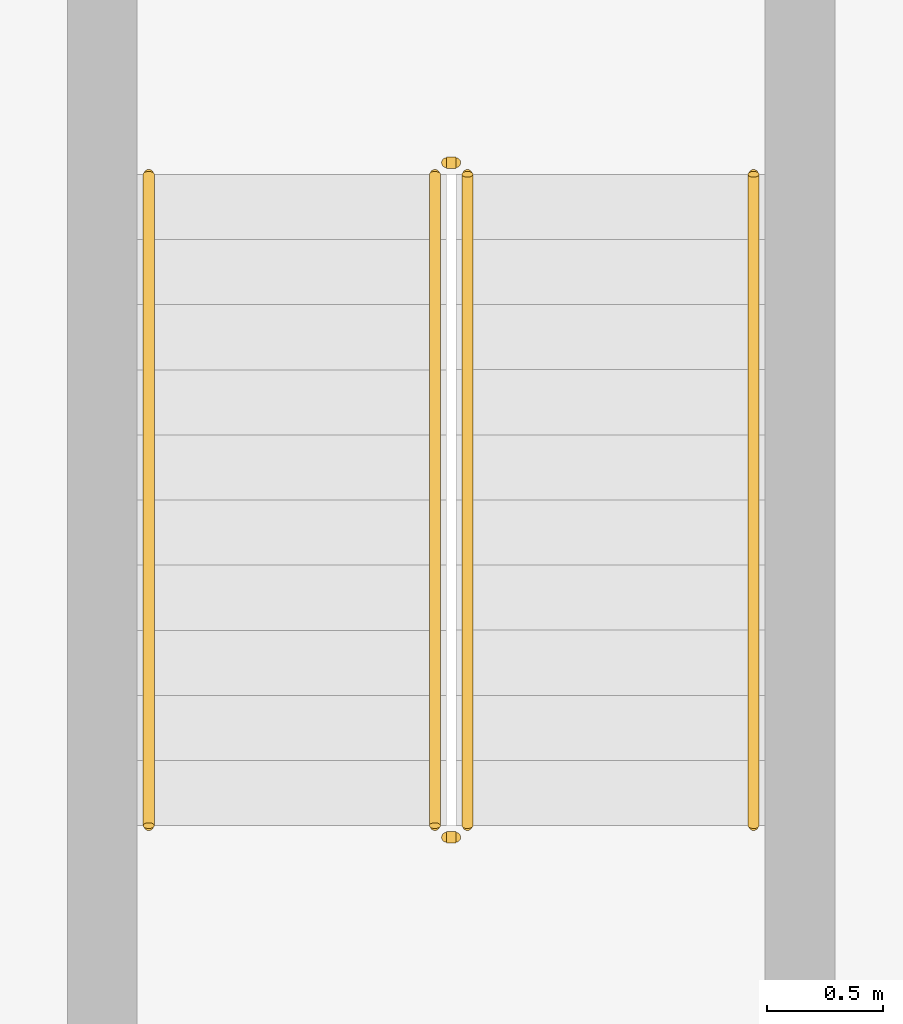
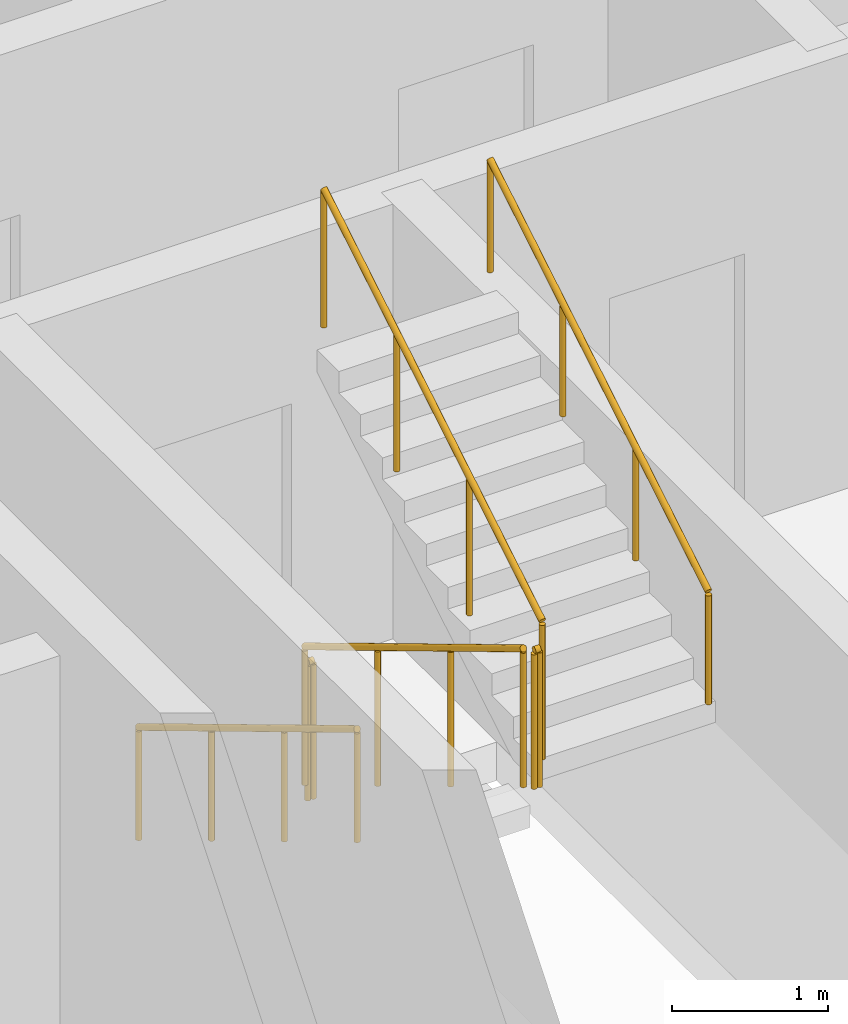
# One storey, part 22 of 25: 6 railings.
"""IFC4 building model written with IfcOpenShell, lengths in metres."""

from ifc_helpers import new_model, si_unit, direction, frame, origin, origin_2d, place, context, subcontext, project, spatial, circle, extrude, material, type_object, element, save


model = new_model("IFC4")

# Units and contexts
model_context = context("Model", 3, precision=1e-05, world=origin(), true_north=direction((0.0, 1.0)))
body_context = subcontext(model_context, "Body", "Model", "MODEL_VIEW")
ifc_project = project(units=[si_unit("LENGTHUNIT", "METRE"), si_unit("AREAUNIT", "SQUARE_METRE"), si_unit("VOLUMEUNIT", "CUBIC_METRE"), si_unit("PLANEANGLEUNIT", "RADIAN"), si_unit("MASSUNIT", "GRAM", prefix="KILO")], contexts=[model_context])

# Site, building, storey
site_placement = place(None, origin())
site = spatial("IfcSite", under=ifc_project, at=site_placement, CompositionType="ELEMENT")
building_placement = place(site_placement, origin())
building = spatial("IfcBuilding", under=site, at=building_placement, Name="Ogive Portal Towers", CompositionType="ELEMENT")
storey_placement = place(building_placement, frame((0.0, 0.0, 116.699951171875)))
storey = spatial("IfcBuildingStorey", under=building, at=storey_placement, Name="L28", CompositionType="ELEMENT", Elevation=116.699951171875)

# Railings
ifc_material_1 = material(Name="Stainless steel balustrade", Category="steel")
railing_type_1 = type_object("IfcRailingType", Name="INT-GUARD", PredefinedType="GUARDRAIL", material=ifc_material_1)
railing_1_placement = place(storey_placement, frame((88.280029296875, 29.169921875, 0.168212890625)))
element("IfcRailing", 1, at=railing_1_placement, inside=storey, type_object=railing_type_1, Name="L28 ST-A4 stair guard 1", PredefinedType="GUARDRAIL", context=body_context, shape_type="SweptSolid", body=[
    extrude(circle(Radius=0.02392578125, at=origin_2d()), frame((0.0, 0.0, 1.076171875), z_axis=(0.0, -0.857222391501, 0.514946377315), x_axis=(1.0, 0.0, 0.0)), (0.0, 0.0, 1.0), 3.26611328125),
    extrude(circle(Radius=0.02099609375, at=origin_2d()), origin(), (0.0, 0.0, 1.0), 1.052001953125),
    extrude(circle(Radius=0.02099609375, at=origin_2d()), frame((0.0, -0.933349609375, 0.560546875)), (0.0, 0.0, 1.0), 1.052001953125),
    extrude(circle(Radius=0.02099609375, at=origin_2d()), frame((0.0, -1.866455078125, 1.121337890625)), (0.0, 0.0, 1.0), 1.052001953125),
    extrude(circle(Radius=0.02099609375, at=origin_2d()), frame((0.0, -2.7998046875, 1.681884765625)), (0.0, 0.0, 1.0), 1.052001953125),
])
railing_2_placement = place(storey_placement, frame((88.330078125, 26.320068359375, 1.85009765625)))
element("IfcRailing", 2, at=railing_2_placement, inside=storey, type_object=railing_type_1, Name="L28 ST-A4 stair guard 2", PredefinedType="GUARDRAIL", context=body_context, shape_type="SweptSolid", body=[
    extrude(circle(Radius=0.02392578125, at=origin_2d()), frame((0.0, 0.0, 1.076171875), z_axis=(1.0, 0.0, 0.0), x_axis=(0.0, 1.0, 0.0)), (0.0, 0.0, 1.0), 0.0400390625),
    extrude(circle(Radius=0.02099609375, at=origin_2d()), origin(), (0.0, 0.0, 1.0), 1.052001953125),
    extrude(circle(Radius=0.02099609375, at=origin_2d()), frame((0.0400390625, 0.0, 0.0)), (0.0, 0.0, 1.0), 1.052001953125),
])
railing_3_placement = place(storey_placement, frame((88.419921875, 26.3701171875, 2.018310546875)))
element("IfcRailing", 3, at=railing_3_placement, inside=storey, type_object=railing_type_1, Name="L28 ST-A4 stair guard 3", PredefinedType="GUARDRAIL", context=body_context, shape_type="SweptSolid", body=[
    extrude(circle(Radius=0.02392578125, at=origin_2d()), frame((0.0, 0.0, 1.076171875), z_axis=(0.0, 0.857255387014, 0.514891446264), x_axis=(-1.0, 0.0, 0.0)), (0.0, 0.0, 1.0), 3.26611328125),
    extrude(circle(Radius=0.02099609375, at=origin_2d()), origin(), (0.0, 0.0, 1.0), 1.052001953125),
    extrude(circle(Radius=0.02099609375, at=origin_2d()), frame((0.0, 0.933349609375, 0.560546875)), (0.0, 0.0, 1.0), 1.052001953125),
    extrude(circle(Radius=0.02099609375, at=origin_2d()), frame((0.0, 1.866455078125, 1.12109375)), (0.0, 0.0, 1.0), 1.052001953125),
    extrude(circle(Radius=0.02099609375, at=origin_2d()), frame((0.0, 2.7998046875, 1.681640625)), (0.0, 0.0, 1.0), 1.052001953125),
])
railing_4_placement = place(storey_placement, frame((88.330078125, 29.219970703125, 0.0)))
element("IfcRailing", 4, at=railing_4_placement, inside=storey, type_object=railing_type_1, Name="L28 ST-A4 stair guard 4", PredefinedType="GUARDRAIL", context=body_context, shape_type="SweptSolid", body=[
    extrude(circle(Radius=0.02392578125, at=origin_2d()), frame((0.0, 0.0, 1.076171875), z_axis=(1.0, 0.0, 0.0), x_axis=(0.0, 1.0, 0.0)), (0.0, 0.0, 1.0), 0.0400390625),
    extrude(circle(Radius=0.02099609375, at=origin_2d()), origin(), (0.0, 0.0, 1.0), 1.052001953125),
    extrude(circle(Radius=0.02099609375, at=origin_2d()), frame((0.0400390625, 0.0, 0.0)), (0.0, 0.0, 1.0), 1.052001953125),
])
ifc_material_2 = material(Name="Stainless steel handrail", Category="steel")
railing_type_2 = type_object("IfcRailingType", Name="INT-HANDRAIL", PredefinedType="HANDRAIL", material=ifc_material_2)
railing_5_placement = place(storey_placement, frame((87.050048828125, 29.169921875, 0.168212890625)))
element("IfcRailing", 5, at=railing_5_placement, inside=storey, type_object=railing_type_2, Name="L28 ST-A4 stair handrail 1", PredefinedType="HANDRAIL", context=body_context, shape_type="SweptSolid", body=[
    extrude(circle(Radius=0.02392578125, at=origin_2d()), frame((0.0, 0.0, 0.8759765625), z_axis=(0.0, -0.857222391501, 0.514946377315), x_axis=(1.0, 0.0, 0.0)), (0.0, 0.0, 1.0), 3.26611328125),
    extrude(circle(Radius=0.02099609375, at=origin_2d()), origin(), (0.0, 0.0, 1.0), 0.851806640625),
    extrude(circle(Radius=0.02099609375, at=origin_2d()), frame((0.0, -0.933349609375, 0.560546875)), (0.0, 0.0, 1.0), 0.851806640625),
    extrude(circle(Radius=0.02099609375, at=origin_2d()), frame((0.0, -1.866455078125, 1.121337890625)), (0.0, 0.0, 1.0), 0.851806640625),
    extrude(circle(Radius=0.02099609375, at=origin_2d()), frame((0.0, -2.7998046875, 1.681884765625)), (0.0, 0.0, 1.0), 0.851806640625),
])
railing_6_placement = place(storey_placement, frame((89.64990234375, 26.3701171875, 2.018310546875)))
element("IfcRailing", 6, at=railing_6_placement, inside=storey, type_object=railing_type_2, Name="L28 ST-A4 stair handrail 2", PredefinedType="HANDRAIL", context=body_context, shape_type="SweptSolid", body=[
    extrude(circle(Radius=0.02392578125, at=origin_2d()), frame((0.0, 0.0, 0.8759765625), z_axis=(0.0, 0.857255387014, 0.514891446264), x_axis=(-1.0, 0.0, 0.0)), (0.0, 0.0, 1.0), 3.26611328125),
    extrude(circle(Radius=0.02099609375, at=origin_2d()), origin(), (0.0, 0.0, 1.0), 0.851806640625),
    extrude(circle(Radius=0.02099609375, at=origin_2d()), frame((0.0, 0.933349609375, 0.560546875)), (0.0, 0.0, 1.0), 0.851806640625),
    extrude(circle(Radius=0.02099609375, at=origin_2d()), frame((0.0, 1.866455078125, 1.12109375)), (0.0, 0.0, 1.0), 0.851806640625),
    extrude(circle(Radius=0.02099609375, at=origin_2d()), frame((0.0, 2.7998046875, 1.681640625)), (0.0, 0.0, 1.0), 0.851806640625),
])

save(model, "model.ifc")
